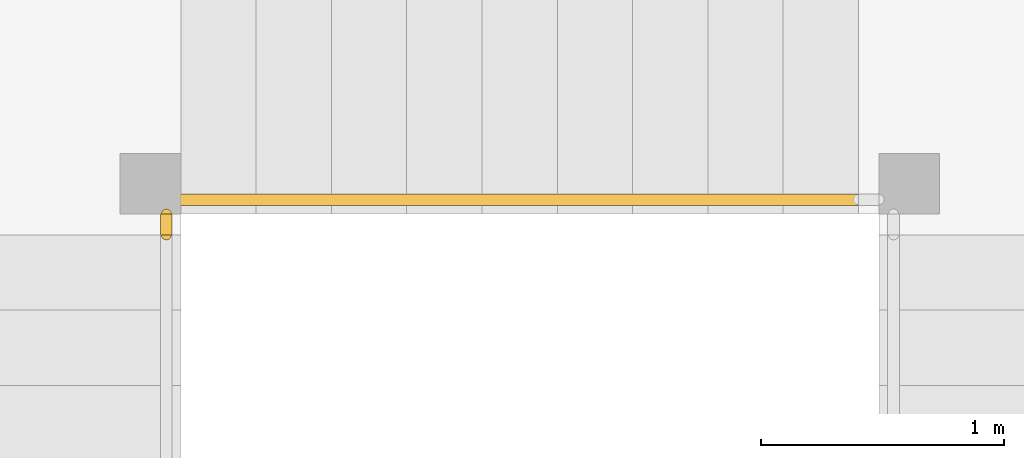
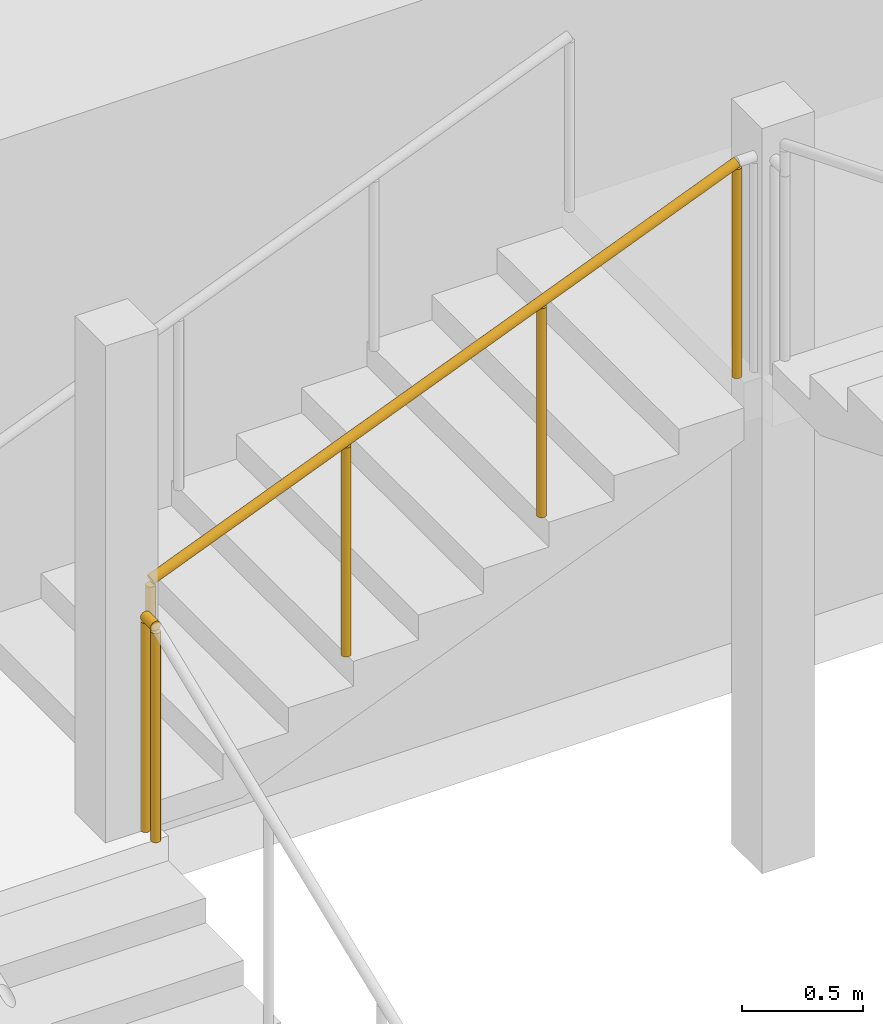
# One storey, part 36 of 39: 2 railings.
"""IFC4 building model written with IfcOpenShell, lengths in metres."""

from ifc_helpers import new_model, si_unit, direction, frame, origin, origin_2d, place, context, subcontext, project, spatial, circle, extrude, material, type_object, element, save


model = new_model("IFC4")

# Units and contexts
model_context = context("Model", 3, precision=1e-05, world=origin(), true_north=direction((0.0, 1.0)))
body_context = subcontext(model_context, "Body", "Model", "MODEL_VIEW")
ifc_project = project(units=[si_unit("LENGTHUNIT", "METRE"), si_unit("AREAUNIT", "SQUARE_METRE"), si_unit("VOLUMEUNIT", "CUBIC_METRE"), si_unit("PLANEANGLEUNIT", "RADIAN"), si_unit("MASSUNIT", "GRAM", prefix="KILO")], contexts=[model_context])

# Site, building, storey
site_placement = place(None, origin())
site = spatial("IfcSite", under=ifc_project, at=site_placement, CompositionType="ELEMENT")
building_placement = place(site_placement, origin())
building = spatial("IfcBuilding", under=site, at=building_placement, Name="Rekha Terrace Tower", CompositionType="ELEMENT")
storey_placement = place(building_placement, frame((0.0, 0.0, 221.449951171875)))
storey = spatial("IfcBuildingStorey", under=building, at=storey_placement, Name="L56", CompositionType="ELEMENT", Elevation=221.449951171875)

# Railings
ifc_material = material(Name="Stainless steel balustrade", Category="steel")
railing_type = type_object("IfcRailingType", Name="GR1 1100 stair guard", PredefinedType="GUARDRAIL", material=ifc_material)
railing_1_placement = place(storey_placement, frame((45.52490234375, 44.260009765625, 1.375)))
element("IfcRailing", 1, at=railing_1_placement, inside=storey, type_object=railing_type, Name="Guard ST2 L56 flight 2", PredefinedType="GUARDRAIL", context=body_context, shape_type="SweptSolid", body=[
    extrude(circle(Radius=0.02392578125, at=origin_2d()), frame((0.0, 0.0, 1.076171875), z_axis=(0.927443287984, 0.0, 0.373963831907), x_axis=(0.0, 1.0, 0.0)), (0.0, 0.0, 1.0), 3.00830078125),
    extrude(circle(Radius=0.02099609375, at=origin_2d()), origin(), (0.0, 0.0, 1.0), 1.052001953125),
    extrude(circle(Radius=0.02099609375, at=origin_2d()), frame((0.929931640625, 0.0, 0.375)), (0.0, 0.0, 1.0), 1.052001953125),
    extrude(circle(Radius=0.02099609375, at=origin_2d()), frame((1.860107421875, 0.0, 0.75)), (0.0, 0.0, 1.0), 1.052001953125),
    extrude(circle(Radius=0.02099609375, at=origin_2d()), frame((2.7900390625, 0.0, 1.125)), (0.0, 0.0, 1.0), 1.052001953125),
])
railing_2_placement = place(storey_placement, frame((45.465087890625, 44.114990234375, 1.25)))
element("IfcRailing", 2, at=railing_2_placement, inside=storey, type_object=railing_type, Name="Guard ST2 L56 landing 1", PredefinedType="GUARDRAIL", context=body_context, shape_type="SweptSolid", body=[
    extrude(circle(Radius=0.02392578125, at=origin_2d()), frame((0.0, 0.0, 1.076171875), z_axis=(0.0, 1.0, 0.0), x_axis=(-1.0, 0.0, 0.0)), (0.0, 0.0, 1.0), 0.0849609375),
    extrude(circle(Radius=0.02099609375, at=origin_2d()), origin(), (0.0, 0.0, 1.0), 1.052001953125),
    extrude(circle(Radius=0.02099609375, at=origin_2d()), frame((0.0, 0.0849609375, 0.0)), (0.0, 0.0, 1.0), 1.052001953125),
])

save(model, "model.ifc")
